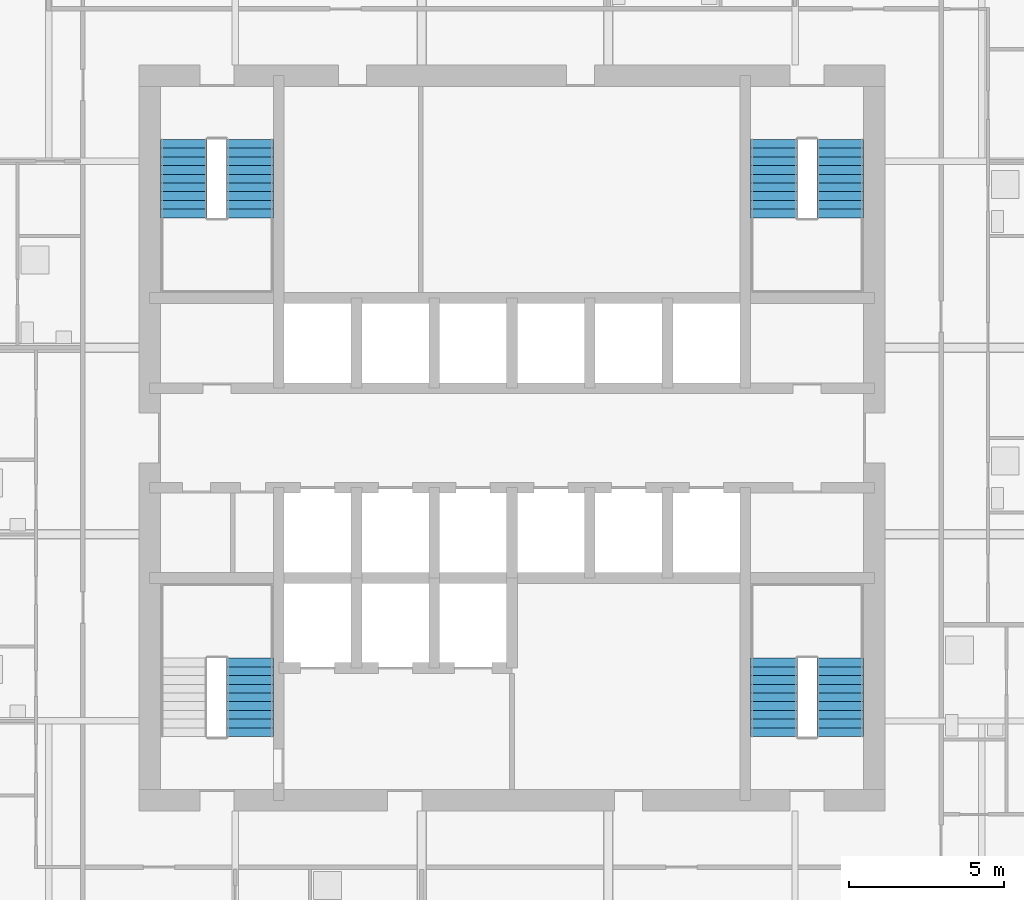
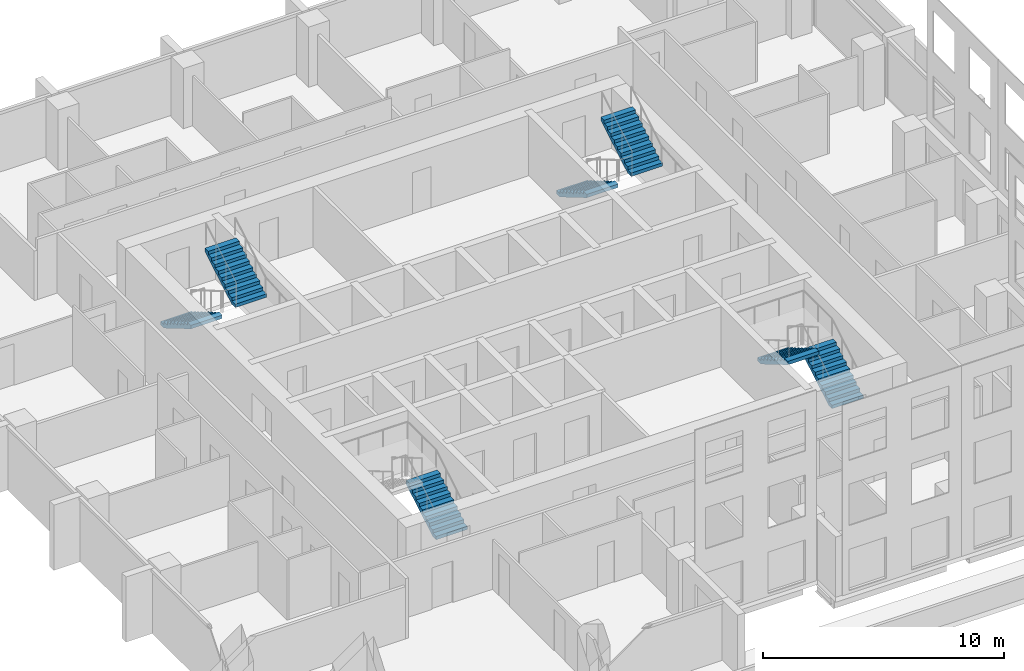
# One storey, part 9 of 14: 7 stair flights, 4 elements without a shape of their own.
"""IFC4 building model written with IfcOpenShell, lengths in metres."""

from ifc_helpers import new_model, si_unit, direction, frame, origin, place, context, subcontext, project, spatial, polyline, outline, extrude, material, type_object, element, aggregate, save


model = new_model("IFC4")

# Units and contexts
model_context = context("Model", 3, precision=1e-05, world=origin(), true_north=direction((0.0, 1.0)))
body_context = subcontext(model_context, "Body", "Model", "MODEL_VIEW")
ifc_project = project(units=[si_unit("LENGTHUNIT", "METRE"), si_unit("AREAUNIT", "SQUARE_METRE"), si_unit("VOLUMEUNIT", "CUBIC_METRE"), si_unit("PLANEANGLEUNIT", "RADIAN"), si_unit("MASSUNIT", "GRAM", prefix="KILO")], contexts=[model_context])

# Site, building, storey
site_placement = place(None, origin())
site = spatial("IfcSite", under=ifc_project, at=site_placement, CompositionType="ELEMENT")
building_placement = place(site_placement, origin())
building = spatial("IfcBuilding", under=site, at=building_placement, Name="Amberfall Residences", CompositionType="ELEMENT")
storey_placement = place(building_placement, frame((0.0, 0.0, 133.89990234375)))
storey = spatial("IfcBuildingStorey", under=building, at=storey_placement, Name="L35", CompositionType="ELEMENT", Elevation=133.89990234375)

# Stair, stair flight
ifc_material = material(Name="Concrete C40", Category="concrete")
stair_type = type_object("IfcStairType", Name="Exit stair 20 risers 165.0 mm", PredefinedType="HALF_TURN_STAIR", material=ifc_material)
stair_1_placement = place(storey_placement, origin())
stair_1 = element("IfcStair", 1, at=stair_1_placement, inside=storey, type_object=stair_type, Name="L35 Exit stair 1", PredefinedType="HALF_TURN_STAIR")
stair_flight_type = type_object("IfcStairFlightType", Name="Stair flight 10 risers 165.0 mm", PredefinedType="STRAIGHT", material=ifc_material)
stair_flight_1_placement = place(storey_placement, frame((66.074951171875, 35.89990234375, 0.0), z_axis=(0.0, 0.0, 1.0), x_axis=(0.0, 1.0, 0.0)))
stair_flight_1 = element("IfcStairFlight", 2, at=stair_flight_1_placement, type_object=stair_flight_type, Name="ST3 flight 1", NumberOfRisers=10, NumberOfTreads=9, PredefinedType="STRAIGHT", RiserHeight=0.165, TreadLength=0.28, context=body_context, shape_type="SweptSolid", body=[
    extrude(outline(polyline([(0.0, 0.0), (0.0, 0.1650390625), (0.280029296875, 0.1650390625), (0.280029296875, 0.330078125), (0.56005859375, 0.330078125), (0.56005859375, 0.4951171875), (0.840087890625, 0.4951171875), (0.840087890625, 0.659912109375), (1.1201171875, 0.659912109375), (1.1201171875, 0.824951171875), (1.39990234375, 0.824951171875), (1.39990234375, 0.989990234375), (1.679931640625, 0.989990234375), (1.679931640625, 1.155029296875), (1.9599609375, 1.155029296875), (1.9599609375, 1.320068359375), (2.239990234375, 1.320068359375), (2.239990234375, 1.485107421875), (2.52001953125, 1.485107421875), (2.52001953125, 1.64990234375), (2.52001953125, 1.31103515625), (0.295166015625, 0.0), (0.0, 0.0)])), frame((0.0, 0.75, 0.0), z_axis=(0.0, -1.0, 0.0), x_axis=(1.0, 0.0, 0.0)), (0.0, 0.0, 1.0), 1.5),
])
aggregate(stair_1, [stair_flight_1])

# Stair, stair flights
stair_2_placement = place(storey_placement, origin())
stair_2 = element("IfcStair", 3, at=stair_2_placement, inside=storey, type_object=stair_type, Name="L35 Exit stair 2", PredefinedType="HALF_TURN_STAIR")
stair_flight_2_placement = place(storey_placement, frame((85.050048828125, 35.89990234375, 0.0), z_axis=(0.0, 0.0, 1.0), x_axis=(0.0, 1.0, 0.0)))
stair_flight_2 = element("IfcStairFlight", 4, at=stair_flight_2_placement, type_object=stair_flight_type, Name="ST3 flight 1", NumberOfRisers=10, NumberOfTreads=9, PredefinedType="STRAIGHT", RiserHeight=0.165, TreadLength=0.28, context=body_context, shape_type="SweptSolid", body=[
    extrude(outline(polyline([(0.0, 0.0), (0.0, 0.1650390625), (0.280029296875, 0.1650390625), (0.280029296875, 0.330078125), (0.56005859375, 0.330078125), (0.56005859375, 0.4951171875), (0.840087890625, 0.4951171875), (0.840087890625, 0.659912109375), (1.1201171875, 0.659912109375), (1.1201171875, 0.824951171875), (1.39990234375, 0.824951171875), (1.39990234375, 0.989990234375), (1.679931640625, 0.989990234375), (1.679931640625, 1.155029296875), (1.9599609375, 1.155029296875), (1.9599609375, 1.320068359375), (2.239990234375, 1.320068359375), (2.239990234375, 1.485107421875), (2.52001953125, 1.485107421875), (2.52001953125, 1.64990234375), (2.52001953125, 1.31103515625), (0.295166015625, 0.0), (0.0, 0.0)])), frame((0.0, 0.75, 0.0), z_axis=(0.0, -1.0, 0.0), x_axis=(1.0, 0.0, 0.0)), (0.0, 0.0, 1.0), 1.5),
])
stair_flight_3_placement = place(storey_placement, frame((82.925048828125, 38.419921875, 1.650146484375), z_axis=(0.0, 0.0, 1.0), x_axis=(0.0, -1.0, 0.0)))
stair_flight_3 = element("IfcStairFlight", 5, at=stair_flight_3_placement, type_object=stair_flight_type, Name="ST3 flight 2", NumberOfRisers=10, NumberOfTreads=9, PredefinedType="STRAIGHT", RiserHeight=0.165, TreadLength=0.28, context=body_context, shape_type="SweptSolid", body=[
    extrude(outline(polyline([(0.0, 0.0), (0.0, 0.1650390625), (0.280029296875, 0.1650390625), (0.280029296875, 0.330078125), (0.56005859375, 0.330078125), (0.56005859375, 0.4951171875), (0.840087890625, 0.4951171875), (0.840087890625, 0.659912109375), (1.1201171875, 0.659912109375), (1.1201171875, 0.824951171875), (1.39990234375, 0.824951171875), (1.39990234375, 0.989990234375), (1.679931640625, 0.989990234375), (1.679931640625, 1.155029296875), (1.9599609375, 1.155029296875), (1.9599609375, 1.320068359375), (2.239990234375, 1.320068359375), (2.239990234375, 1.485107421875), (2.52001953125, 1.485107421875), (2.52001953125, 1.64990234375), (2.52001953125, 1.31103515625), (0.295166015625, 0.0), (0.0, 0.0)])), frame((0.0, 0.75, 0.0), z_axis=(0.0, -1.0, 0.0), x_axis=(1.0, 0.0, 0.0)), (0.0, 0.0, 1.0), 1.5),
])
aggregate(stair_2, [stair_flight_2, stair_flight_3])

stair_3_placement = place(storey_placement, origin())
stair_3 = element("IfcStair", 6, at=stair_3_placement, inside=storey, type_object=stair_type, Name="L35 Exit stair 3", PredefinedType="HALF_TURN_STAIR")
stair_flight_4_placement = place(storey_placement, frame((82.925048828125, 55.10009765625, 0.0), z_axis=(0.0, 0.0, 1.0), x_axis=(0.0, -1.0, 0.0)))
stair_flight_4 = element("IfcStairFlight", 7, at=stair_flight_4_placement, type_object=stair_flight_type, Name="ST3 flight 1", NumberOfRisers=10, NumberOfTreads=9, PredefinedType="STRAIGHT", RiserHeight=0.165, TreadLength=0.28, context=body_context, shape_type="SweptSolid", body=[
    extrude(outline(polyline([(0.0, 0.0), (0.0, 0.1650390625), (0.280029296875, 0.1650390625), (0.280029296875, 0.330078125), (0.56005859375, 0.330078125), (0.56005859375, 0.4951171875), (0.840087890625, 0.4951171875), (0.840087890625, 0.659912109375), (1.1201171875, 0.659912109375), (1.1201171875, 0.824951171875), (1.39990234375, 0.824951171875), (1.39990234375, 0.989990234375), (1.679931640625, 0.989990234375), (1.679931640625, 1.155029296875), (1.9599609375, 1.155029296875), (1.9599609375, 1.320068359375), (2.239990234375, 1.320068359375), (2.239990234375, 1.485107421875), (2.52001953125, 1.485107421875), (2.52001953125, 1.64990234375), (2.52001953125, 1.31103515625), (0.295166015625, 0.0), (0.0, 0.0)])), frame((0.0, 0.75, 0.0), z_axis=(0.0, -1.0, 0.0), x_axis=(1.0, 0.0, 0.0)), (0.0, 0.0, 1.0), 1.5),
])
stair_flight_5_placement = place(storey_placement, frame((85.050048828125, 52.580078125, 1.650146484375), z_axis=(0.0, 0.0, 1.0), x_axis=(0.0, 1.0, 0.0)))
stair_flight_5 = element("IfcStairFlight", 8, at=stair_flight_5_placement, type_object=stair_flight_type, Name="ST3 flight 2", NumberOfRisers=10, NumberOfTreads=9, PredefinedType="STRAIGHT", RiserHeight=0.165, TreadLength=0.28, context=body_context, shape_type="SweptSolid", body=[
    extrude(outline(polyline([(0.0, 0.0), (0.0, 0.1650390625), (0.280029296875, 0.1650390625), (0.280029296875, 0.330078125), (0.56005859375, 0.330078125), (0.56005859375, 0.4951171875), (0.840087890625, 0.4951171875), (0.840087890625, 0.659912109375), (1.1201171875, 0.659912109375), (1.1201171875, 0.824951171875), (1.39990234375, 0.824951171875), (1.39990234375, 0.989990234375), (1.679931640625, 0.989990234375), (1.679931640625, 1.155029296875), (1.9599609375, 1.155029296875), (1.9599609375, 1.320068359375), (2.239990234375, 1.320068359375), (2.239990234375, 1.485107421875), (2.52001953125, 1.485107421875), (2.52001953125, 1.64990234375), (2.52001953125, 1.31103515625), (0.295166015625, 0.0), (0.0, 0.0)])), frame((0.0, 0.75, 0.0), z_axis=(0.0, -1.0, 0.0), x_axis=(1.0, 0.0, 0.0)), (0.0, 0.0, 1.0), 1.5),
])
aggregate(stair_3, [stair_flight_4, stair_flight_5])

stair_4_placement = place(storey_placement, origin())
stair_4 = element("IfcStair", 9, at=stair_4_placement, inside=storey, type_object=stair_type, Name="L35 Exit stair 4", PredefinedType="HALF_TURN_STAIR")
stair_flight_6_placement = place(storey_placement, frame((63.949951171875, 55.10009765625, 0.0), z_axis=(0.0, 0.0, 1.0), x_axis=(0.0, -1.0, 0.0)))
stair_flight_6 = element("IfcStairFlight", 10, at=stair_flight_6_placement, type_object=stair_flight_type, Name="ST3 flight 1", NumberOfRisers=10, NumberOfTreads=9, PredefinedType="STRAIGHT", RiserHeight=0.165, TreadLength=0.28, context=body_context, shape_type="SweptSolid", body=[
    extrude(outline(polyline([(0.0, 0.0), (0.0, 0.1650390625), (0.280029296875, 0.1650390625), (0.280029296875, 0.330078125), (0.56005859375, 0.330078125), (0.56005859375, 0.4951171875), (0.840087890625, 0.4951171875), (0.840087890625, 0.659912109375), (1.1201171875, 0.659912109375), (1.1201171875, 0.824951171875), (1.39990234375, 0.824951171875), (1.39990234375, 0.989990234375), (1.679931640625, 0.989990234375), (1.679931640625, 1.155029296875), (1.9599609375, 1.155029296875), (1.9599609375, 1.320068359375), (2.239990234375, 1.320068359375), (2.239990234375, 1.485107421875), (2.52001953125, 1.485107421875), (2.52001953125, 1.64990234375), (2.52001953125, 1.31103515625), (0.295166015625, 0.0), (0.0, 0.0)])), frame((0.0, 0.75, 0.0), z_axis=(0.0, -1.0, 0.0), x_axis=(1.0, 0.0, 0.0)), (0.0, 0.0, 1.0), 1.5),
])
stair_flight_7_placement = place(storey_placement, frame((66.074951171875, 52.580078125, 1.650146484375), z_axis=(0.0, 0.0, 1.0), x_axis=(0.0, 1.0, 0.0)))
stair_flight_7 = element("IfcStairFlight", 11, at=stair_flight_7_placement, type_object=stair_flight_type, Name="ST3 flight 2", NumberOfRisers=10, NumberOfTreads=9, PredefinedType="STRAIGHT", RiserHeight=0.165, TreadLength=0.28, context=body_context, shape_type="SweptSolid", body=[
    extrude(outline(polyline([(0.0, 0.0), (0.0, 0.1650390625), (0.280029296875, 0.1650390625), (0.280029296875, 0.330078125), (0.56005859375, 0.330078125), (0.56005859375, 0.4951171875), (0.840087890625, 0.4951171875), (0.840087890625, 0.659912109375), (1.1201171875, 0.659912109375), (1.1201171875, 0.824951171875), (1.39990234375, 0.824951171875), (1.39990234375, 0.989990234375), (1.679931640625, 0.989990234375), (1.679931640625, 1.155029296875), (1.9599609375, 1.155029296875), (1.9599609375, 1.320068359375), (2.239990234375, 1.320068359375), (2.239990234375, 1.485107421875), (2.52001953125, 1.485107421875), (2.52001953125, 1.64990234375), (2.52001953125, 1.31103515625), (0.295166015625, 0.0), (0.0, 0.0)])), frame((0.0, 0.75, 0.0), z_axis=(0.0, -1.0, 0.0), x_axis=(1.0, 0.0, 0.0)), (0.0, 0.0, 1.0), 1.5),
])
aggregate(stair_4, [stair_flight_6, stair_flight_7])

save(model, "model.ifc")
